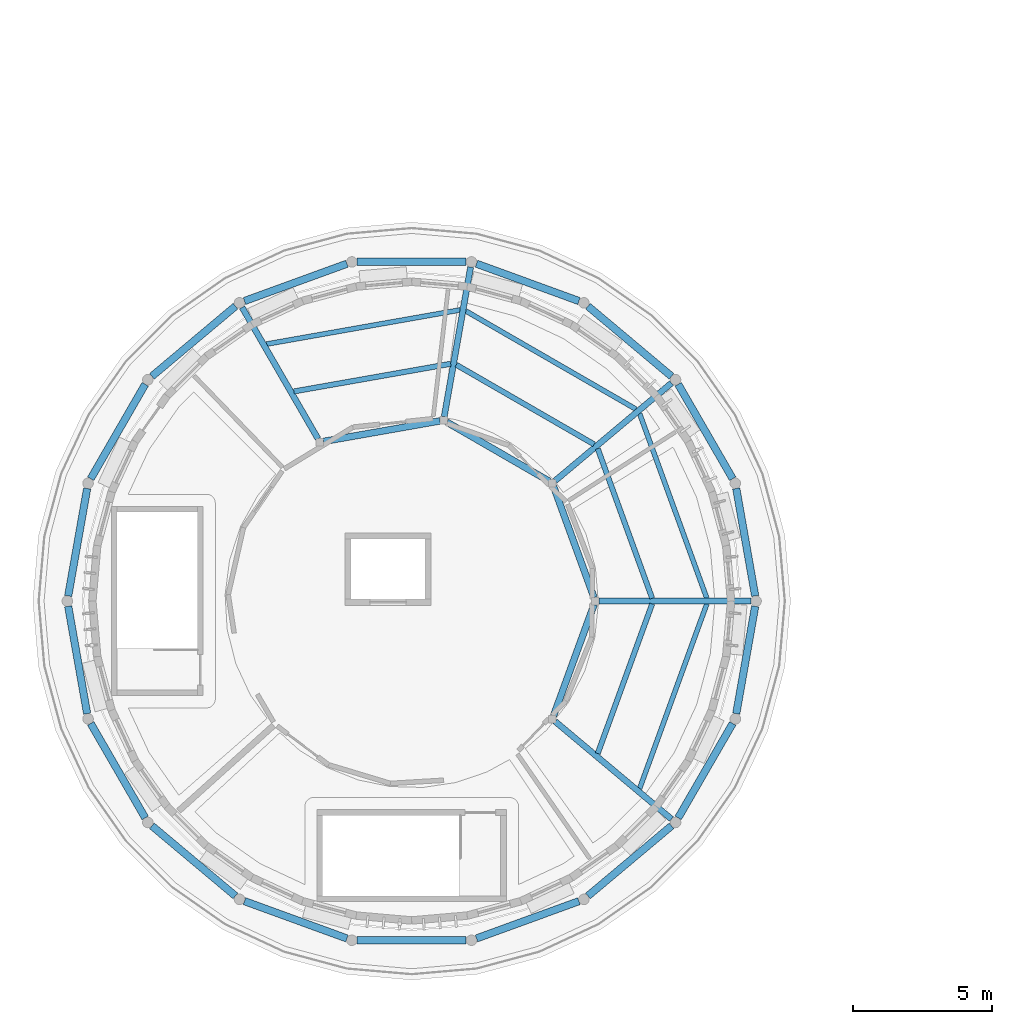
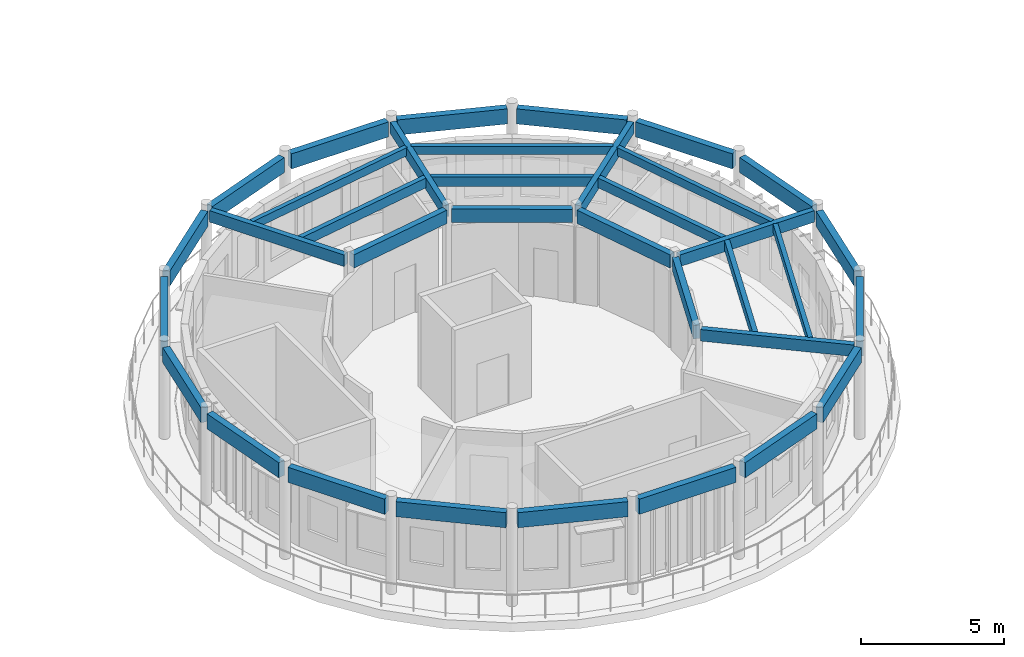
# One storey, part 4 of 30: 35 beams.
"""IFC4 building model written with IfcOpenShell, lengths in metres."""

from ifc_helpers import new_model, si_unit, direction, frame, origin, origin_2d, place, context, subcontext, project, spatial, rectangle, extrude, material, material_profile, profile_set, type_object, element, save


model = new_model("IFC4")

# Units and contexts
model_context = context("Model", 3, precision=1e-05, world=origin(), true_north=direction((0.0, 1.0)))
body_context = subcontext(model_context, "Body", "Model", "MODEL_VIEW")
ifc_project = project(units=[si_unit("LENGTHUNIT", "METRE"), si_unit("AREAUNIT", "SQUARE_METRE"), si_unit("VOLUMEUNIT", "CUBIC_METRE"), si_unit("PLANEANGLEUNIT", "RADIAN"), si_unit("MASSUNIT", "GRAM", prefix="KILO")], contexts=[model_context])

# Site, building, storey
site_placement = place(None, origin())
site = spatial("IfcSite", under=ifc_project, at=site_placement, CompositionType="ELEMENT")
building_placement = place(site_placement, origin())
building = spatial("IfcBuilding", under=site, at=building_placement, Name="Aldenvaro Health Centre", CompositionType="ELEMENT")
storey_placement = place(building_placement, frame((0.0, 0.0, 17.14990234375)))
storey = spatial("IfcBuildingStorey", under=building, at=storey_placement, Name="L04", CompositionType="ELEMENT", Elevation=17.14990234375)

# Beams
ifc_material = material(Name="Glulam GL28h", Category="wood")
ifc_material_profile_1 = material_profile(ifc_material, rectangle(XDim=0.175048828125, YDim=0.35009765625, at=origin_2d()), Name="GL 175x350", Category="wood")
ifc_profile_set_1 = profile_set([ifc_material_profile_1], Name="Glulam GL28h")
beam_type_1 = type_object("IfcBeamType", Name="BM-GL-350", PredefinedType="JOIST", material=ifc_profile_set_1)
beam_1_placement = place(storey_placement, frame((29.10888671875, 18.60107421875, 3.78515625), z_axis=(-0.342009334008, 0.939696554985, 0.0), x_axis=(-0.939696554985, -0.342009334008, 0.0)))
element("IfcBeam", 1, at=beam_1_placement, inside=storey, type_object=beam_type_1, Name="D5 L04 secondary joist 01.2", PredefinedType="JOIST", context=body_context, shape_type="SweptSolid", body=[
    extrude(rectangle(XDim=0.175048828125, YDim=0.35009765625, at=origin_2d()), origin(), (0.0, 0.0, 1.0), 7.067138671875),
])
beam_2_placement = place(storey_placement, frame((26.56298828125, 25.39697265625, 3.78515625), z_axis=(-0.866030278967, 0.499991555841, 0.0), x_axis=(-0.499991555841, -0.866030278967, 0.0)))
element("IfcBeam", 2, at=beam_2_placement, inside=storey, type_object=beam_type_1, Name="D5 L04 secondary joist 02.2", PredefinedType="JOIST", context=body_context, shape_type="SweptSolid", body=[
    extrude(rectangle(XDim=0.175048828125, YDim=0.35009765625, at=origin_2d()), origin(), (0.0, 0.0, 1.0), 7.06787109375),
])
beam_3_placement = place(storey_placement, frame((20.242919921875, 28.966064453125, 3.78515625), z_axis=(-0.984788427089, -0.173757744782, 0.0), x_axis=(0.173757744782, -0.984788427089, 0.0)))
element("IfcBeam", 3, at=beam_3_placement, inside=storey, type_object=beam_type_1, Name="D5 L04 secondary joist 03.2", PredefinedType="JOIST", context=body_context, shape_type="SweptSolid", body=[
    extrude(rectangle(XDim=0.175048828125, YDim=0.35009765625, at=origin_2d()), origin(), (0.0, 0.0, 1.0), 7.0673828125),
])
beam_4_placement = place(storey_placement, frame((26.69189453125, 11.758056640625, 3.78515625), z_axis=(0.342009334008, 0.939696554985, 0.0), x_axis=(-0.939696554985, 0.342009334008, 0.0)))
element("IfcBeam", 4, at=beam_4_placement, inside=storey, type_object=beam_type_1, Name="D5 L04 secondary joist 05.2", PredefinedType="JOIST", context=body_context, shape_type="SweptSolid", body=[
    extrude(rectangle(XDim=0.175048828125, YDim=0.35009765625, at=origin_2d()), origin(), (0.0, 0.0, 1.0), 7.067138671875),
])
ifc_material_profile_2 = material_profile(ifc_material, rectangle(XDim=0.18994140625, YDim=0.41796875, at=origin_2d()), Name="GL 190x418", Category="wood")
ifc_profile_set_2 = profile_set([ifc_material_profile_2], Name="Glulam GL28h")
beam_type_2 = type_object("IfcBeamType", Name="BM-GL-418", PredefinedType="JOIST", material=ifc_profile_set_2)
beam_5_placement = place(storey_placement, frame((27.14404296875, 18.60107421875, 3.7509765625), z_axis=(-0.341962269954, 0.939713682952, 0.0), x_axis=(-0.939713682952, -0.341962269954, 0.0)))
element("IfcBeam", 5, at=beam_5_placement, inside=storey, type_object=beam_type_2, Name="D5 L04 secondary joist 01.1", PredefinedType="JOIST", context=body_context, shape_type="SweptSolid", body=[
    extrude(rectangle(XDim=0.18994140625, YDim=0.41796875, at=origin_2d()), origin(), (0.0, 0.0, 1.0), 5.722900390625),
])
beam_6_placement = place(storey_placement, frame((25.056884765625, 24.134033203125, 3.7509765625), z_axis=(-0.866037099742, 0.499979741459, 0.0), x_axis=(-0.499979741459, -0.866037099742, 0.0)))
element("IfcBeam", 6, at=beam_6_placement, inside=storey, type_object=beam_type_2, Name="D5 L04 secondary joist 02.1", PredefinedType="JOIST", context=body_context, shape_type="SweptSolid", body=[
    extrude(rectangle(XDim=0.18994140625, YDim=0.41796875, at=origin_2d()), origin(), (0.0, 0.0, 1.0), 5.722412109375),
])
beam_7_placement = place(storey_placement, frame((19.902099609375, 27.030029296875, 3.7509765625), z_axis=(-0.984803303426, -0.173673410634, 0.0), x_axis=(0.173673410634, -0.984803303426, 0.0)))
element("IfcBeam", 7, at=beam_7_placement, inside=storey, type_object=beam_type_2, Name="D5 L04 secondary joist 03.1", PredefinedType="JOIST", context=body_context, shape_type="SweptSolid", body=[
    extrude(rectangle(XDim=0.18994140625, YDim=0.41796875, at=origin_2d()), origin(), (0.0, 0.0, 1.0), 5.72412109375),
])
beam_8_placement = place(storey_placement, frame((25.18701171875, 13.02099609375, 3.7509765625), z_axis=(0.341962269954, 0.939713682952, 0.0), x_axis=(-0.939713682952, 0.341962269954, 0.0)))
element("IfcBeam", 8, at=beam_8_placement, inside=storey, type_object=beam_type_2, Name="D5 L04 secondary joist 05.1", PredefinedType="JOIST", context=body_context, shape_type="SweptSolid", body=[
    extrude(rectangle(XDim=0.18994140625, YDim=0.41796875, at=origin_2d()), origin(), (0.0, 0.0, 1.0), 5.722900390625),
])
ifc_material_profile_3 = material_profile(ifc_material, rectangle(XDim=0.215087890625, YDim=0.493896484375, at=origin_2d()), Name="GL 215x494", Category="wood")
ifc_profile_set_3 = profile_set([ifc_material_profile_3], Name="Glulam GL28h")
beam_type_3 = type_object("IfcBeamType", Name="BM-GL-494", PredefinedType="BEAM", material=ifc_profile_set_3)
beam_9_placement = place(storey_placement, frame((25.23291015625, 18.5, 3.713134765625), z_axis=(1.0, 0.0, 0.0), x_axis=(0.0, 1.0, 0.0)))
element("IfcBeam", 9, at=beam_9_placement, inside=storey, type_object=beam_type_3, Name="D5 L04 radial beam 01", PredefinedType="BEAM", context=body_context, shape_type="SweptSolid", body=[
    extrude(rectangle(XDim=0.215087890625, YDim=0.493896484375, at=origin_2d()), origin(), (0.0, 0.0, 1.0), 5.45703125),
])
beam_10_placement = place(storey_placement, frame((23.656982421875, 22.826904296875, 3.713134765625), z_axis=(0.765969140825, 0.642877340793, 0.0), x_axis=(-0.642877340793, 0.765969140825, 0.0)))
element("IfcBeam", 10, at=beam_10_placement, inside=storey, type_object=beam_type_3, Name="D5 L04 radial beam 02", PredefinedType="BEAM", context=body_context, shape_type="SweptSolid", body=[
    extrude(rectangle(XDim=0.215087890625, YDim=0.493896484375, at=origin_2d()), origin(), (0.0, 0.0, 1.0), 5.458251953125),
])
beam_11_placement = place(storey_placement, frame((19.6689453125, 25.1298828125, 3.713134765625), z_axis=(0.173690917436, 0.984800215882, 0.0), x_axis=(-0.984800215882, 0.173690917436, 0.0)))
element("IfcBeam", 11, at=beam_11_placement, inside=storey, type_object=beam_type_3, Name="D5 L04 radial beam 03", PredefinedType="BEAM", context=body_context, shape_type="SweptSolid", body=[
    extrude(rectangle(XDim=0.215087890625, YDim=0.493896484375, at=origin_2d()), origin(), (0.0, 0.0, 1.0), 5.4580078125),
])
beam_12_placement = place(storey_placement, frame((15.134033203125, 24.3310546875, 3.713134765625), z_axis=(-0.500152354843, 0.865937423804, 0.0), x_axis=(-0.865937423804, -0.500152354843, 0.0)))
element("IfcBeam", 12, at=beam_12_placement, inside=storey, type_object=beam_type_3, Name="D5 L04 radial beam 04", PredefinedType="BEAM", context=body_context, shape_type="SweptSolid", body=[
    extrude(rectangle(XDim=0.215087890625, YDim=0.493896484375, at=origin_2d()), origin(), (0.0, 0.0, 1.0), 5.456298828125),
])
beam_13_placement = place(storey_placement, frame((23.656982421875, 14.173095703125, 3.713134765625), z_axis=(0.765969140825, -0.642877340793, 0.0), x_axis=(0.642877340793, 0.765969140825, 0.0)))
element("IfcBeam", 13, at=beam_13_placement, inside=storey, type_object=beam_type_3, Name="D5 L04 radial beam 05", PredefinedType="BEAM", context=body_context, shape_type="SweptSolid", body=[
    extrude(rectangle(XDim=0.215087890625, YDim=0.493896484375, at=origin_2d()), origin(), (0.0, 0.0, 1.0), 5.458251953125),
])
ifc_material_profile_4 = material_profile(ifc_material, rectangle(XDim=0.239990234375, YDim=0.570068359375, at=origin_2d()), Name="GL 240x570", Category="wood")
ifc_profile_set_4 = profile_set([ifc_material_profile_4], Name="Glulam GL28h")
beam_type_4 = type_object("IfcBeamType", Name="BM-GL-570", PredefinedType="BEAM", material=ifc_profile_set_4)
beam_14_placement = place(storey_placement, frame((25.054931640625, 18.625, 3.675048828125), z_axis=(-0.34220903962, 0.939623846655, 0.0), x_axis=(-0.939623846655, -0.34220903962, 0.0)))
element("IfcBeam", 14, at=beam_14_placement, inside=storey, type_object=beam_type_4, Name="D5 L04 inner ring beam 01", PredefinedType="BEAM", context=body_context, shape_type="SweptSolid", body=[
    extrude(rectangle(XDim=0.239990234375, YDim=0.570068359375, at=origin_2d()), origin(), (0.0, 0.0, 1.0), 4.24853515625),
])
beam_15_placement = place(storey_placement, frame((23.44091796875, 22.80810546875, 3.675048828125), z_axis=(-0.86588608574, 0.50024122833, 0.0), x_axis=(-0.50024122833, -0.86588608574, 0.0)))
element("IfcBeam", 15, at=beam_15_placement, inside=storey, type_object=beam_type_4, Name="D5 L04 inner ring beam 02", PredefinedType="BEAM", context=body_context, shape_type="SweptSolid", body=[
    extrude(rectangle(XDim=0.239990234375, YDim=0.570068359375, at=origin_2d()), origin(), (0.0, 0.0, 1.0), 4.25),
])
beam_16_placement = place(storey_placement, frame((19.51611328125, 24.97705078125, 3.675048828125), z_axis=(-0.984810723231, -0.173631331875, 0.0), x_axis=(0.173631331875, -0.984810723231, 0.0)))
element("IfcBeam", 16, at=beam_16_placement, inside=storey, type_object=beam_type_4, Name="D5 L04 inner ring beam 03", PredefinedType="BEAM", context=body_context, shape_type="SweptSolid", body=[
    extrude(rectangle(XDim=0.239990234375, YDim=0.570068359375, at=origin_2d()), origin(), (0.0, 0.0, 1.0), 4.25048828125),
])
beam_17_placement = place(storey_placement, frame((23.60107421875, 14.383056640625, 3.675048828125), z_axis=(0.34220903962, 0.939623846655, 0.0), x_axis=(-0.939623846655, 0.34220903962, 0.0)))
element("IfcBeam", 17, at=beam_17_placement, inside=storey, type_object=beam_type_4, Name="D5 L04 inner ring beam 05", PredefinedType="BEAM", context=body_context, shape_type="SweptSolid", body=[
    extrude(rectangle(XDim=0.239990234375, YDim=0.570068359375, at=origin_2d()), origin(), (0.0, 0.0, 1.0), 4.24853515625),
])
ifc_material_profile_5 = material_profile(ifc_material, rectangle(XDim=0.264892578125, YDim=0.64599609375, at=origin_2d()), Name="GL 265x646", Category="wood")
ifc_profile_set_5 = profile_set([ifc_material_profile_5], Name="Glulam GL28h")
beam_type_5 = type_object("IfcBeamType", Name="BM-GL-646", PredefinedType="SPANDREL", material=ifc_profile_set_5)
beam_18_placement = place(storey_placement, frame((30.846923828125, 18.68701171875, 3.63720703125), z_axis=(-0.173714269459, 0.984796096959, 0.0), x_axis=(-0.984796096959, -0.173714269459, 0.0)))
element("IfcBeam", 18, at=beam_18_placement, inside=storey, type_object=beam_type_5, Name="D5 L04 perimeter spandrel 01", PredefinedType="SPANDREL", context=body_context, shape_type="SweptSolid", body=[
    extrude(rectangle(XDim=0.264892578125, YDim=0.64599609375, at=origin_2d()), origin(), (0.0, 0.0, 1.0), 3.919677734375),
])
beam_19_placement = place(storey_placement, frame((30.0380859375, 22.89892578125, 3.63720703125), z_axis=(-0.499891434049, 0.866088075293, 0.0), x_axis=(-0.866088075293, -0.499891434049, 0.0)))
element("IfcBeam", 19, at=beam_19_placement, inside=storey, type_object=beam_type_5, Name="D5 L04 perimeter spandrel 02", PredefinedType="SPANDREL", context=body_context, shape_type="SweptSolid", body=[
    extrude(rectangle(XDim=0.264892578125, YDim=0.64599609375, at=origin_2d()), origin(), (0.0, 0.0, 1.0), 3.918701171875),
])
beam_20_placement = place(storey_placement, frame((27.837890625, 26.580078125, 3.63720703125), z_axis=(-0.766031223431, 0.642803363969, 0.0), x_axis=(-0.642803363969, -0.766031223431, 0.0)))
element("IfcBeam", 20, at=beam_20_placement, inside=storey, type_object=beam_type_5, Name="D5 L04 perimeter spandrel 03", PredefinedType="SPANDREL", context=body_context, shape_type="SweptSolid", body=[
    extrude(rectangle(XDim=0.264892578125, YDim=0.64599609375, at=origin_2d()), origin(), (0.0, 0.0, 1.0), 3.9189453125),
])
beam_21_placement = place(storey_placement, frame((24.510986328125, 29.285888671875, 3.63720703125), z_axis=(-0.93961320134, 0.342238267685, 0.0), x_axis=(-0.342238267685, -0.93961320134, 0.0)))
element("IfcBeam", 21, at=beam_21_placement, inside=storey, type_object=beam_type_5, Name="D5 L04 perimeter spandrel 04", PredefinedType="SPANDREL", context=body_context, shape_type="SweptSolid", body=[
    extrude(rectangle(XDim=0.264892578125, YDim=0.64599609375, at=origin_2d()), origin(), (0.0, 0.0, 1.0), 3.91845703125),
])
beam_22_placement = place(storey_placement, frame((20.4599609375, 30.69189453125, 3.63720703125), z_axis=(-1.0, 0.0, 0.0), x_axis=(0.0, -1.0, 0.0)))
element("IfcBeam", 22, at=beam_22_placement, inside=storey, type_object=beam_type_5, Name="D5 L04 perimeter spandrel 05", PredefinedType="SPANDREL", context=body_context, shape_type="SweptSolid", body=[
    extrude(rectangle(XDim=0.264892578125, YDim=0.64599609375, at=origin_2d()), origin(), (0.0, 0.0, 1.0), 3.919921875),
])
beam_23_placement = place(storey_placement, frame((16.1708984375, 30.626953125, 3.63720703125), z_axis=(-0.93961320134, -0.342238267685, 0.0), x_axis=(0.342238267685, -0.93961320134, 0.0)))
element("IfcBeam", 23, at=beam_23_placement, inside=storey, type_object=beam_type_5, Name="D5 L04 perimeter spandrel 06", PredefinedType="SPANDREL", context=body_context, shape_type="SweptSolid", body=[
    extrude(rectangle(XDim=0.264892578125, YDim=0.64599609375, at=origin_2d()), origin(), (0.0, 0.0, 1.0), 3.91845703125),
])
beam_24_placement = place(storey_placement, frame((12.1640625, 29.09912109375, 3.63720703125), z_axis=(-0.766031223431, -0.642803363969, 0.0), x_axis=(0.642803363969, -0.766031223431, 0.0)))
element("IfcBeam", 24, at=beam_24_placement, inside=storey, type_object=beam_type_5, Name="D5 L04 perimeter spandrel 07", PredefinedType="SPANDREL", context=body_context, shape_type="SweptSolid", body=[
    extrude(rectangle(XDim=0.264892578125, YDim=0.64599609375, at=origin_2d()), origin(), (0.0, 0.0, 1.0), 3.9189453125),
])
beam_25_placement = place(storey_placement, frame((8.9208984375, 26.29296875, 3.63720703125), z_axis=(-0.499891434049, -0.866088075293, 0.0), x_axis=(0.866088075293, -0.499891434049, 0.0)))
element("IfcBeam", 25, at=beam_25_placement, inside=storey, type_object=beam_type_5, Name="D5 L04 perimeter spandrel 08", PredefinedType="SPANDREL", context=body_context, shape_type="SweptSolid", body=[
    extrude(rectangle(XDim=0.264892578125, YDim=0.64599609375, at=origin_2d()), origin(), (0.0, 0.0, 1.0), 3.918701171875),
])
for number, where, z_axis, x_axis, name in (
    (26, (6.833984375, 22.547119140625, 3.63720703125), (-0.173714269459, -0.984796096959, 0.0), (0.984796096959, -0.173714269459, 0.0), "D5 L04 perimeter spandrel 09"),
    (27, (6.153076171875, 18.31298828125, 3.63720703125), (0.173714269459, -0.984796096959, 0.0), (0.984796096959, 0.173714269459, 0.0), "D5 L04 perimeter spandrel 10"),
):
    element("IfcBeam", number, at=place(storey_placement, frame(where, z_axis=z_axis, x_axis=x_axis)), inside=storey, type_object=beam_type_5, Name=name, PredefinedType="SPANDREL", context=body_context, shape_type="SweptSolid", body=[
        extrude(rectangle(XDim=0.264892578125, YDim=0.64599609375, at=origin_2d()), origin(), (0.0, 0.0, 1.0), 3.919677734375),
    ])
beam_26_placement = place(storey_placement, frame((6.9619140625, 14.10107421875, 3.63720703125), z_axis=(0.499891434049, -0.866088075293, 0.0), x_axis=(0.866088075293, 0.499891434049, 0.0)))
element("IfcBeam", 28, at=beam_26_placement, inside=storey, type_object=beam_type_5, Name="D5 L04 perimeter spandrel 11", PredefinedType="SPANDREL", context=body_context, shape_type="SweptSolid", body=[
    extrude(rectangle(XDim=0.264892578125, YDim=0.64599609375, at=origin_2d()), origin(), (0.0, 0.0, 1.0), 3.918701171875),
])
beam_27_placement = place(storey_placement, frame((9.162109375, 10.419921875, 3.63720703125), z_axis=(0.766031223431, -0.642803363969, 0.0), x_axis=(0.642803363969, 0.766031223431, 0.0)))
element("IfcBeam", 29, at=beam_27_placement, inside=storey, type_object=beam_type_5, Name="D5 L04 perimeter spandrel 12", PredefinedType="SPANDREL", context=body_context, shape_type="SweptSolid", body=[
    extrude(rectangle(XDim=0.264892578125, YDim=0.64599609375, at=origin_2d()), origin(), (0.0, 0.0, 1.0), 3.9189453125),
])
beam_28_placement = place(storey_placement, frame((12.489013671875, 7.714111328125, 3.63720703125), z_axis=(0.93961320134, -0.342238267685, 0.0), x_axis=(0.342238267685, 0.93961320134, 0.0)))
element("IfcBeam", 30, at=beam_28_placement, inside=storey, type_object=beam_type_5, Name="D5 L04 perimeter spandrel 13", PredefinedType="SPANDREL", context=body_context, shape_type="SweptSolid", body=[
    extrude(rectangle(XDim=0.264892578125, YDim=0.64599609375, at=origin_2d()), origin(), (0.0, 0.0, 1.0), 3.91845703125),
])
beam_29_placement = place(storey_placement, frame((16.5400390625, 6.30810546875, 3.63720703125), z_axis=(1.0, 0.0, 0.0), x_axis=(0.0, 1.0, 0.0)))
element("IfcBeam", 31, at=beam_29_placement, inside=storey, type_object=beam_type_5, Name="D5 L04 perimeter spandrel 14", PredefinedType="SPANDREL", context=body_context, shape_type="SweptSolid", body=[
    extrude(rectangle(XDim=0.264892578125, YDim=0.64599609375, at=origin_2d()), origin(), (0.0, 0.0, 1.0), 3.919921875),
])
beam_30_placement = place(storey_placement, frame((20.8291015625, 6.373046875, 3.63720703125), z_axis=(0.93961320134, 0.342238267685, 0.0), x_axis=(-0.342238267685, 0.93961320134, 0.0)))
element("IfcBeam", 32, at=beam_30_placement, inside=storey, type_object=beam_type_5, Name="D5 L04 perimeter spandrel 15", PredefinedType="SPANDREL", context=body_context, shape_type="SweptSolid", body=[
    extrude(rectangle(XDim=0.264892578125, YDim=0.64599609375, at=origin_2d()), origin(), (0.0, 0.0, 1.0), 3.91845703125),
])
beam_31_placement = place(storey_placement, frame((24.8359375, 7.90087890625, 3.63720703125), z_axis=(0.766031223431, 0.642803363969, 0.0), x_axis=(-0.642803363969, 0.766031223431, 0.0)))
element("IfcBeam", 33, at=beam_31_placement, inside=storey, type_object=beam_type_5, Name="D5 L04 perimeter spandrel 16", PredefinedType="SPANDREL", context=body_context, shape_type="SweptSolid", body=[
    extrude(rectangle(XDim=0.264892578125, YDim=0.64599609375, at=origin_2d()), origin(), (0.0, 0.0, 1.0), 3.9189453125),
])
beam_32_placement = place(storey_placement, frame((28.0791015625, 10.70703125, 3.63720703125), z_axis=(0.499891434049, 0.866088075293, 0.0), x_axis=(-0.866088075293, 0.499891434049, 0.0)))
element("IfcBeam", 34, at=beam_32_placement, inside=storey, type_object=beam_type_5, Name="D5 L04 perimeter spandrel 17", PredefinedType="SPANDREL", context=body_context, shape_type="SweptSolid", body=[
    extrude(rectangle(XDim=0.264892578125, YDim=0.64599609375, at=origin_2d()), origin(), (0.0, 0.0, 1.0), 3.918701171875),
])
beam_33_placement = place(storey_placement, frame((30.166015625, 14.452880859375, 3.63720703125), z_axis=(0.173714269459, 0.984796096959, 0.0), x_axis=(-0.984796096959, 0.173714269459, 0.0)))
element("IfcBeam", 35, at=beam_33_placement, inside=storey, type_object=beam_type_5, Name="D5 L04 perimeter spandrel 18", PredefinedType="SPANDREL", context=body_context, shape_type="SweptSolid", body=[
    extrude(rectangle(XDim=0.264892578125, YDim=0.64599609375, at=origin_2d()), origin(), (0.0, 0.0, 1.0), 3.919677734375),
])

save(model, "model.ifc")
